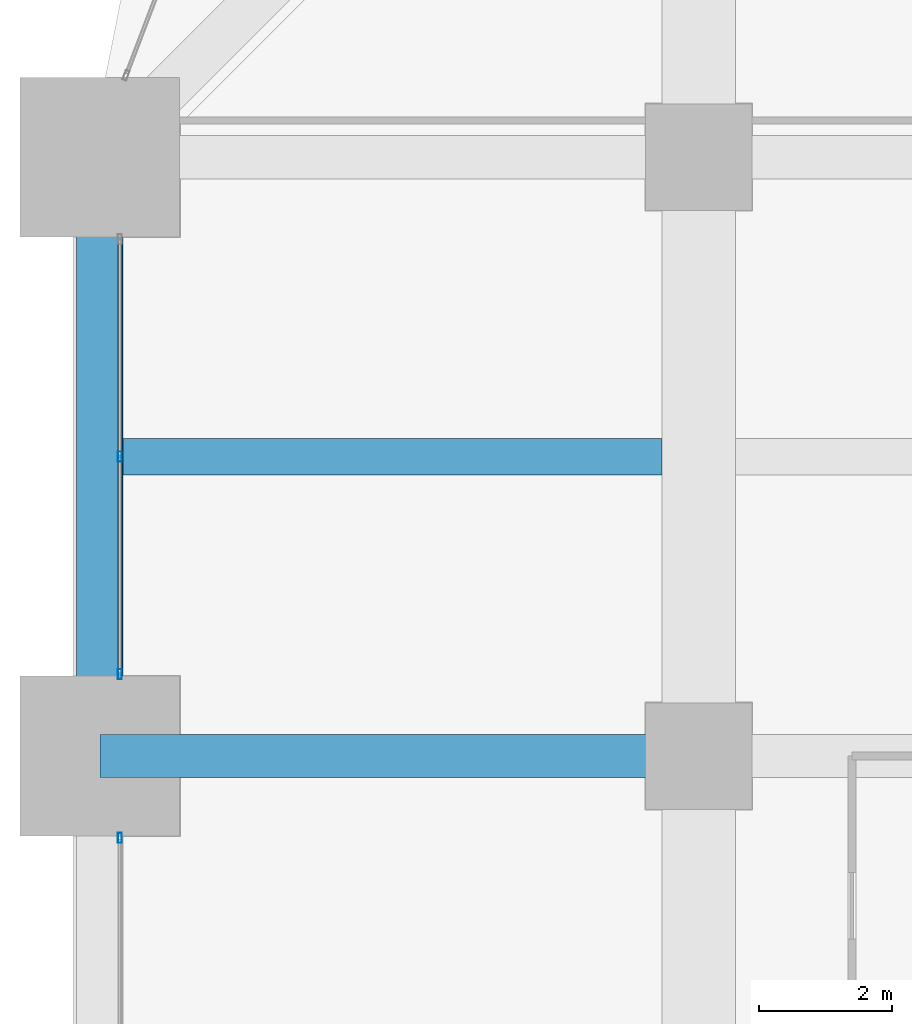
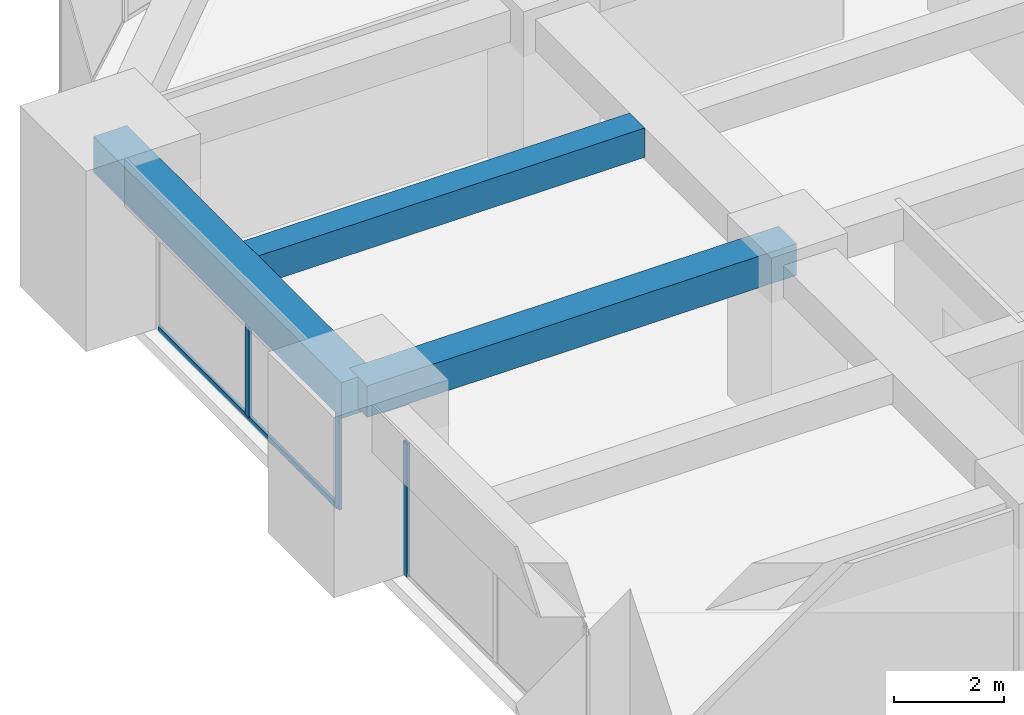
# One storey, part 11 of 34: 4 members, 3 beams, 2 elements without a shape of their own.
"""IFC4 building model written with IfcOpenShell, lengths in metres."""

from ifc_helpers import new_model, si_unit, direction, frame, origin, origin_2d, place, context, subcontext, project, spatial, rectangle, hollow_rectangle, extrude, material, material_profile, profile_set, type_object, element, aggregate, save


model = new_model("IFC4")

# Units and contexts
model_context = context("Model", 3, precision=1e-05, world=origin(), true_north=direction((0.0, 1.0)))
body_context = subcontext(model_context, "Body", "Model", "MODEL_VIEW")
ifc_project = project(units=[si_unit("LENGTHUNIT", "METRE"), si_unit("AREAUNIT", "SQUARE_METRE"), si_unit("VOLUMEUNIT", "CUBIC_METRE"), si_unit("PLANEANGLEUNIT", "RADIAN"), si_unit("MASSUNIT", "GRAM", prefix="KILO")], contexts=[model_context])

# Site, building, storey
site_placement = place(None, origin())
site = spatial("IfcSite", under=ifc_project, at=site_placement, CompositionType="ELEMENT")
building_placement = place(site_placement, origin())
building = spatial("IfcBuilding", under=site, at=building_placement, Name="Zorevar Civic Tower", CompositionType="ELEMENT")
storey_placement = place(building_placement, frame((0.0, 0.0, 174.199951171875)))
storey = spatial("IfcBuildingStorey", under=building, at=storey_placement, Name="L42", CompositionType="ELEMENT", Elevation=174.199951171875)

# Beams
ifc_material_1 = material(Name="Concrete C50/60", Category="concrete")
ifc_material_profile_1 = material_profile(ifc_material_1, rectangle(XDim=0.550048828125, YDim=0.64990234375, at=origin_2d()), Name="RC 550x650")
ifc_profile_set_1 = profile_set([ifc_material_profile_1], Name="Concrete C50/60")
beam_type_1 = type_object("IfcBeamType", Name="Beam RC 550x650", PredefinedType="BEAM", material=ifc_profile_set_1)
beam_1_placement = place(storey_placement, frame((0.35009765625, 31.5, 3.425048828125), z_axis=(1.0, 0.0, 0.0), x_axis=(0.0, 1.0, 0.0)))
element("IfcBeam", 1, at=beam_1_placement, inside=storey, type_object=beam_type_1, Name="Secondary beam L43", PredefinedType="BEAM", context=body_context, shape_type="SweptSolid", body=[
    extrude(rectangle(XDim=0.550048828125, YDim=0.64990234375, at=origin_2d()), origin(), (0.0, 0.0, 1.0), 8.099853515625),
])
ifc_material_2 = material(Name="Concrete C50/60", Category="concrete")
ifc_material_profile_2 = material_profile(ifc_material_2, rectangle(XDim=0.64990234375, YDim=0.699951171875, at=origin_2d()), Name="RC 650x700")
ifc_profile_set_2 = profile_set([ifc_material_profile_2], Name="Concrete C50/60")
beam_type_2 = type_object("IfcBeamType", Name="Beam RC 650x700", PredefinedType="BEAM", material=ifc_profile_set_2)
beam_2_placement = place(storey_placement, frame((0.0, 27.0, 3.400146484375), z_axis=(1.0, 0.0, 0.0), x_axis=(0.0, 1.0, 0.0)))
element("IfcBeam", 2, at=beam_2_placement, inside=storey, type_object=beam_type_2, Name="Girder L43", PredefinedType="BEAM", context=body_context, shape_type="SweptSolid", body=[
    extrude(rectangle(XDim=0.64990234375, YDim=0.699951171875, at=origin_2d()), origin(), (0.0, 0.0, 1.0), 9.0),
])

# Curtain wall, member
ifc_material_3 = material(Name="Dark grey solar-control glass in black aluminium frame", Category="aluminium")
curtain_wall_type = type_object("IfcCurtainWallType", Name="Curtain wall CW4 high zone", PredefinedType="NOTDEFINED", material=ifc_material_3)
curtain_wall_1_placement = place(storey_placement, origin())
curtain_wall_1 = element("IfcCurtainWall", 3, at=curtain_wall_1_placement, inside=storey, type_object=curtain_wall_type, Name="CW4 L42", PredefinedType="NOTDEFINED")
ifc_material_4 = material(Name="Aluminium, black anodised", Category="aluminium")
ifc_material_profile_3 = material_profile(ifc_material_4, hollow_rectangle(XDim=0.06005859375, YDim=0.14990234375, WallThickness=0.00390625, at=origin_2d()), Name="AL 150x60x4")
ifc_profile_set_3 = profile_set([ifc_material_profile_3], Name="Aluminium, black anodised")
member_type_1 = type_object("IfcMemberType", Name="CW4 mullion AL 150x60x4", PredefinedType="MULLION", material=ifc_profile_set_3)
member_1_placement = place(storey_placement, frame((0.300048828125, 25.77001953125, 0.0), z_axis=(0.0, 0.0, 1.0), x_axis=(-1.0, 0.0, 0.0)))
member_1 = element("IfcMember", 4, at=member_1_placement, type_object=member_type_1, Name="CW4 mullion 3", PredefinedType="MULLION", context=body_context, shape_type="SweptSolid", body=[
    extrude(hollow_rectangle(XDim=0.06005859375, YDim=0.14990234375, WallThickness=0.00390625, at=origin_2d()), origin(), (0.0, 0.0, 1.0), 2.949951171875),
])
aggregate(curtain_wall_1, [member_1])

# Curtain wall, members
curtain_wall_2_placement = place(storey_placement, origin())
curtain_wall_2 = element("IfcCurtainWall", 5, at=curtain_wall_2_placement, inside=storey, type_object=curtain_wall_type, Name="CW4 L42", PredefinedType="NOTDEFINED")
member_2_placement = place(storey_placement, frame((0.300048828125, 28.22998046875, 0.0), z_axis=(0.0, 0.0, 1.0), x_axis=(-1.0, 0.0, 0.0)))
member_2 = element("IfcMember", 6, at=member_2_placement, type_object=member_type_1, Name="CW4 mullion 1", PredefinedType="MULLION", context=body_context, shape_type="SweptSolid", body=[
    extrude(hollow_rectangle(XDim=0.06005859375, YDim=0.14990234375, WallThickness=0.00390625, at=origin_2d()), origin(), (0.0, 0.0, 1.0), 2.949951171875),
])
member_3_placement = place(storey_placement, frame((0.300048828125, 31.5, 0.06005859375), z_axis=(0.0, 0.0, 1.0), x_axis=(-1.0, 0.0, 0.0)))
member_3 = element("IfcMember", 7, at=member_3_placement, type_object=member_type_1, Name="CW4 mullion 2", PredefinedType="MULLION", context=body_context, shape_type="SweptSolid", body=[
    extrude(hollow_rectangle(XDim=0.06005859375, YDim=0.14990234375, WallThickness=0.00390625, at=origin_2d()), origin(), (0.0, 0.0, 1.0), 2.889892578125),
])
ifc_material_5 = material(Name="Aluminium, black anodised", Category="aluminium")
ifc_material_profile_4 = material_profile(ifc_material_5, hollow_rectangle(XDim=0.06005859375, YDim=0.1201171875, WallThickness=0.0029296875, at=origin_2d()), Name="AL 120x60x3")
ifc_profile_set_4 = profile_set([ifc_material_profile_4], Name="Aluminium, black anodised")
member_type_2 = type_object("IfcMemberType", Name="CW4 transom AL 120x60x3", PredefinedType="USERDEFINED", material=ifc_profile_set_4)
member_4_placement = place(storey_placement, frame((0.300048828125, 28.260009765625, 0.030029296875), z_axis=(0.0, 1.0, 0.0), x_axis=(-1.0, 0.0, 0.0)))
member_4 = element("IfcMember", 8, at=member_4_placement, type_object=member_type_2, Name="CW4 sill transom", ObjectType="TRANSOM", PredefinedType="USERDEFINED", context=body_context, shape_type="SweptSolid", body=[
    extrude(hollow_rectangle(XDim=0.06005859375, YDim=0.1201171875, WallThickness=0.0029296875, at=origin_2d()), origin(), (0.0, 0.0, 1.0), 6.47998046875),
])
aggregate(curtain_wall_2, [member_2, member_3, member_4])

# Beam
ifc_material_6 = material(Name="Concrete C50/60", Category="concrete")
ifc_material_profile_5 = material_profile(ifc_material_6, rectangle(XDim=0.699951171875, YDim=0.800048828125, at=origin_2d()), Name="RC 700x800")
ifc_profile_set_5 = profile_set([ifc_material_profile_5], Name="Concrete C50/60")
beam_type_3 = type_object("IfcBeamType", Name="Edge beam RC 700x800", PredefinedType="SPANDREL", material=ifc_profile_set_5)
beam_3_placement = place(storey_placement, frame((0.0, 27.0, 3.35009765625), z_axis=(0.0, 1.0, 0.0), x_axis=(-1.0, 0.0, 0.0)))
element("IfcBeam", 9, at=beam_3_placement, inside=storey, type_object=beam_type_3, Name="Edge beam L43", PredefinedType="SPANDREL", context=body_context, shape_type="SweptSolid", body=[
    extrude(rectangle(XDim=0.699951171875, YDim=0.800048828125, at=origin_2d()), origin(), (0.0, 0.0, 1.0), 9.0),
])

save(model, "model.ifc")
